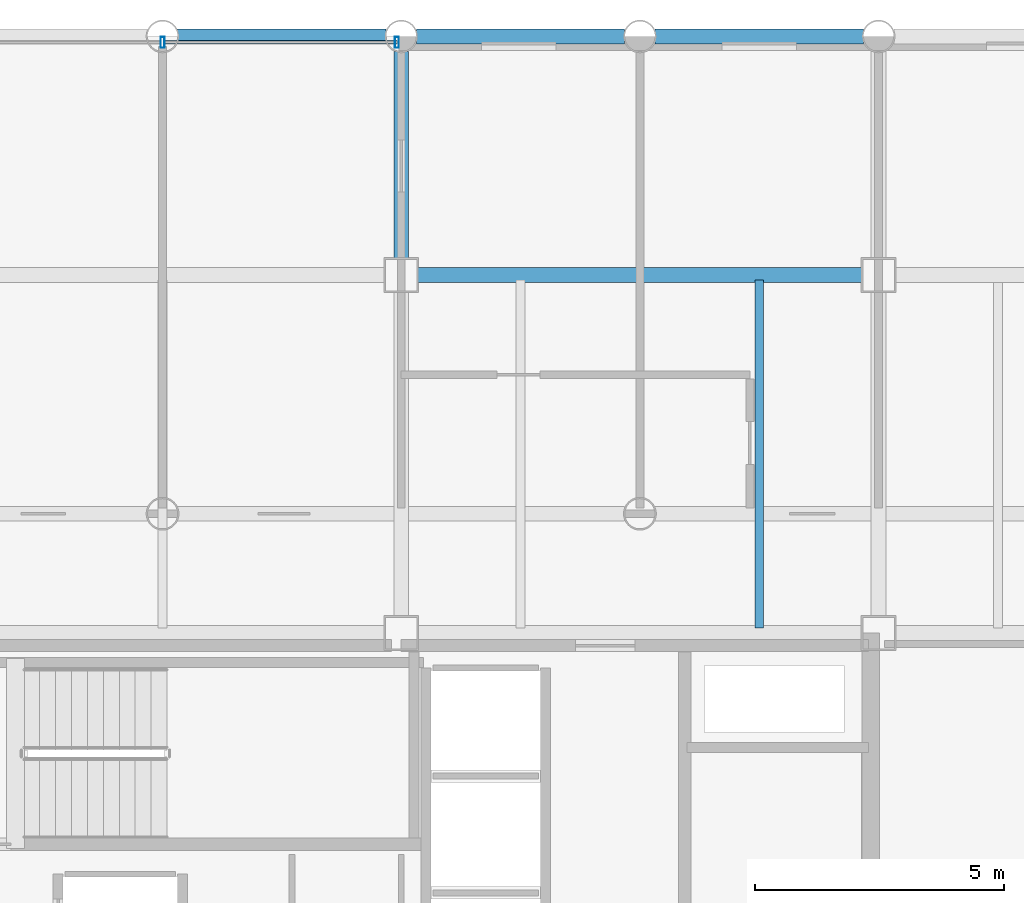
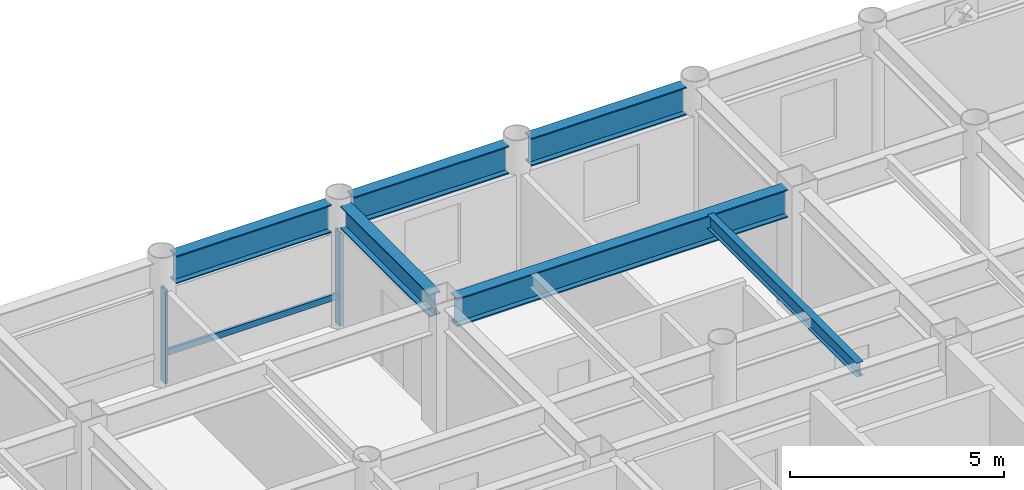
# One storey, part 12 of 20: 6 beams, 3 members, 1 element without a shape of its own.
"""IFC4 building model written with IfcOpenShell, lengths in metres."""

from ifc_helpers import new_model, si_unit, direction, frame, origin, origin_2d, place, context, subcontext, project, spatial, hollow_rectangle, i_section, extrude, material, layer, layer_set, material_profile, profile_set, type_object, element, aggregate, save


model = new_model("IFC4")

# Units and contexts
model_context = context("Model", 3, precision=1e-05, world=origin(), true_north=direction((0.0, 1.0)))
body_context = subcontext(model_context, "Body", "Model", "MODEL_VIEW")
ifc_project = project(units=[si_unit("LENGTHUNIT", "METRE"), si_unit("AREAUNIT", "SQUARE_METRE"), si_unit("VOLUMEUNIT", "CUBIC_METRE"), si_unit("PLANEANGLEUNIT", "RADIAN"), si_unit("MASSUNIT", "GRAM", prefix="KILO")], contexts=[model_context])

# Site, building, storey
site_placement = place(None, origin())
site = spatial("IfcSite", under=ifc_project, at=site_placement, CompositionType="ELEMENT")
building_placement = place(site_placement, origin())
building = spatial("IfcBuilding", under=site, at=building_placement, Name="Kallvorn Hotel Tower", CompositionType="ELEMENT")
storey_placement = place(building_placement, frame((0.0, 0.0, 161.800048828125)))
storey = spatial("IfcBuildingStorey", under=building, at=storey_placement, Name="L40", CompositionType="ELEMENT", Elevation=161.800048828125)

# Beams
ifc_material_1 = material(Name="Structural steel S355JR", Category="steel")
ifc_material_profile_1 = material_profile(ifc_material_1, i_section(OverallWidth=0.300048828125, OverallDepth=0.64990234375, WebThickness=0.01611328125, FlangeThickness=0.031005859375, at=origin_2d()), Name="HE 650 B")
ifc_profile_set_1 = profile_set([ifc_material_profile_1], Name="Structural steel S355JR")
beam_type_1 = type_object("IfcBeamType", Name="BM_HE650B", PredefinedType="BEAM", material=ifc_profile_set_1)
beam_1_placement = place(storey_placement, frame((4.800048828125, 14.72509765625, 3.195068359375), z_axis=(0.0, 1.0, 0.0), x_axis=(-1.0, 0.0, 0.0)))
element("IfcBeam", 1, at=beam_1_placement, inside=storey, type_object=beam_type_1, Name="L41 Primary Y-Girder 118", PredefinedType="BEAM", context=body_context, shape_type="SweptSolid", body=[
    extrude(i_section(OverallWidth=0.300048828125, OverallDepth=0.64990234375, WebThickness=0.01611328125, FlangeThickness=0.031005859375, at=origin_2d()), origin(), (0.0, 0.0, 1.0), 4.169921875),
])
ifc_material_2 = material(Name="Structural steel S355JR", Category="steel")
ifc_material_profile_2 = material_profile(ifc_material_2, i_section(OverallWidth=0.300048828125, OverallDepth=0.800048828125, WebThickness=0.017578125, FlangeThickness=0.032958984375, at=origin_2d()), Name="HE 800 B")
ifc_profile_set_2 = profile_set([ifc_material_profile_2], Name="Structural steel S355JR")
beam_type_2 = type_object("IfcBeamType", Name="BM_HE800B", PredefinedType="BEAM", material=ifc_profile_set_2)
beam_2_placement = place(storey_placement, frame((5.125, 14.39990234375, 3.119873046875), z_axis=(1.0, 0.0, 0.0), x_axis=(0.0, 1.0, 0.0)))
element("IfcBeam", 2, at=beam_2_placement, inside=storey, type_object=beam_type_2, Name="L41 Primary X-Girder 57", PredefinedType="BEAM", context=body_context, shape_type="SweptSolid", body=[
    extrude(i_section(OverallWidth=0.300048828125, OverallDepth=0.800048828125, WebThickness=0.017578125, FlangeThickness=0.032958984375, at=origin_2d()), origin(), (0.0, 0.0, 1.0), 8.949951171875),
])
beam_3_placement = place(storey_placement, frame((0.304931640625, 19.199951171875, 3.119873046875), z_axis=(1.0, 0.0, 0.0), x_axis=(0.0, 1.0, 0.0)))
element("IfcBeam", 3, at=beam_3_placement, inside=storey, type_object=beam_type_2, Name="L41 Primary X-Girder 67", PredefinedType="BEAM", context=body_context, shape_type="SweptSolid", body=[
    extrude(i_section(OverallWidth=0.300048828125, OverallDepth=0.800048828125, WebThickness=0.017578125, FlangeThickness=0.032958984375, at=origin_2d()), origin(), (0.0, 0.0, 1.0), 4.190185546875),
])
for number, where, z_axis, x_axis, name in (
    (4, (5.10498046875, 19.199951171875, 3.119873046875), (1.0, 0.0, 0.0), (0.0, 1.0, 0.0), "L41 Primary X-Girder 68"),
    (5, (9.905029296875, 19.199951171875, 3.119873046875), (1.0, 0.0, 0.0), (0.0, 1.0, 0.0), "L41 Primary X-Girder 69"),
):
    element("IfcBeam", number, at=place(storey_placement, frame(where, z_axis=z_axis, x_axis=x_axis)), inside=storey, type_object=beam_type_2, Name=name, PredefinedType="BEAM", context=body_context, shape_type="SweptSolid", body=[
        extrude(i_section(OverallWidth=0.300048828125, OverallDepth=0.800048828125, WebThickness=0.017578125, FlangeThickness=0.032958984375, at=origin_2d()), origin(), (0.0, 0.0, 1.0), 4.18994140625),
    ])
ifc_material_3 = material(Name="Structural steel S355JR", Category="steel")
ifc_material_profile_3 = material_profile(ifc_material_3, i_section(OverallWidth=0.179931640625, OverallDepth=0.39990234375, WebThickness=0.008544921875, FlangeThickness=0.013427734375, at=origin_2d()), Name="IPE 400")
ifc_profile_set_3 = profile_set([ifc_material_profile_3], Name="Structural steel S355JR")
beam_type_3 = type_object("IfcBeamType", Name="BM_IPE400", PredefinedType="JOIST", material=ifc_profile_set_3)
beam_4_placement = place(storey_placement, frame((12.0, 7.300048828125, 3.320068359375), z_axis=(0.0, 1.0, 0.0), x_axis=(-1.0, 0.0, 0.0)))
element("IfcBeam", 6, at=beam_4_placement, inside=storey, type_object=beam_type_3, Name="L41 Secondary Composite Joist 205", PredefinedType="JOIST", context=body_context, shape_type="SweptSolid", body=[
    extrude(i_section(OverallWidth=0.179931640625, OverallDepth=0.39990234375, WebThickness=0.008544921875, FlangeThickness=0.013427734375, at=origin_2d()), origin(), (0.0, 0.0, 1.0), 7.0),
])

# Curtain wall, members
ifc_material_4 = material(Name="Thermally broken black-anodised aluminium AA 6063-T6", Category="aluminium")
ifc_layer = layer(ifc_material_4, 0.2099609375)
ifc_layer_set = layer_set([ifc_layer], Name="CW_SYS_4_HOTEL_MID")
curtain_wall_type = type_object("IfcCurtainWallType", Name="CW_SYS_4_HOTEL_MID", PredefinedType="USERDEFINED", material=ifc_layer_set)
curtain_wall_placement = place(storey_placement, origin())
curtain_wall = element("IfcCurtainWall", 7, at=curtain_wall_placement, inside=storey, type_object=curtain_wall_type, Name="L40 Dark-Glass Curtain Wall CW-L40-NC", ObjectType="UNITISED CURTAIN WALL", PredefinedType="USERDEFINED")
ifc_material_5 = material(Name="Thermally broken black-anodised aluminium AA 6063-T6", Category="aluminium")
ifc_material_profile_4 = material_profile(ifc_material_5, hollow_rectangle(XDim=0.080078125, YDim=0.219970703125, WallThickness=0.0048828125, at=origin_2d()), Name="MUL 220x80")
ifc_profile_set_4 = profile_set([ifc_material_profile_4], Name="Thermally broken black-anodised aluminium AA 6063-T6")
member_type_1 = type_object("IfcMemberType", Name="CW_MULLION_220x80", PredefinedType="MULLION", material=ifc_profile_set_4)
member_1_placement = place(storey_placement, frame((0.0, 19.080078125, 0.02001953125), z_axis=(0.0, 0.0, 1.0), x_axis=(1.0, 0.0, 0.0)))
member_1 = element("IfcMember", 8, at=member_1_placement, type_object=member_type_1, Name="CW-L40-NC Mullion 01", PredefinedType="MULLION", context=body_context, shape_type="SweptSolid", body=[
    extrude(hollow_rectangle(XDim=0.080078125, YDim=0.219970703125, WallThickness=0.0048828125, at=origin_2d()), origin(), (0.0, 0.0, 1.0), 2.679931640625),
])
member_2_placement = place(storey_placement, frame((4.7099609375, 19.080078125, 0.02001953125), z_axis=(0.0, 0.0, 1.0), x_axis=(1.0, 0.0, 0.0)))
member_2 = element("IfcMember", 9, at=member_2_placement, type_object=member_type_1, Name="CW-L40-NC Mullion 02", PredefinedType="MULLION", context=body_context, shape_type="SweptSolid", body=[
    extrude(hollow_rectangle(XDim=0.080078125, YDim=0.219970703125, WallThickness=0.0048828125, at=origin_2d()), origin(), (0.0, 0.0, 1.0), 2.679931640625),
])
ifc_material_6 = material(Name="Thermally broken black-anodised aluminium AA 6063-T6", Category="aluminium")
ifc_material_profile_5 = material_profile(ifc_material_6, hollow_rectangle(XDim=0.070068359375, YDim=0.179931640625, WallThickness=0.00390625, at=origin_2d()), Name="TRN 180x70")
ifc_profile_set_5 = profile_set([ifc_material_profile_5], Name="Thermally broken black-anodised aluminium AA 6063-T6")
member_type_2 = type_object("IfcMemberType", Name="CW_TRANSOM_180x70", PredefinedType="USERDEFINED", material=ifc_profile_set_5)
member_3_placement = place(storey_placement, frame((0.0400390625, 19.080078125, 0.849853515625), z_axis=(1.0, 0.0, 0.0), x_axis=(0.0, 1.0, 0.0)))
member_3 = element("IfcMember", 10, at=member_3_placement, type_object=member_type_2, Name="CW-L40-NC Transom 01M", ObjectType="TRANSOM", PredefinedType="USERDEFINED", context=body_context, shape_type="SweptSolid", body=[
    extrude(hollow_rectangle(XDim=0.070068359375, YDim=0.179931640625, WallThickness=0.00390625, at=origin_2d()), origin(), (0.0, 0.0, 1.0), 4.669921875),
])
aggregate(curtain_wall, [member_1, member_2, member_3])

save(model, "model.ifc")
